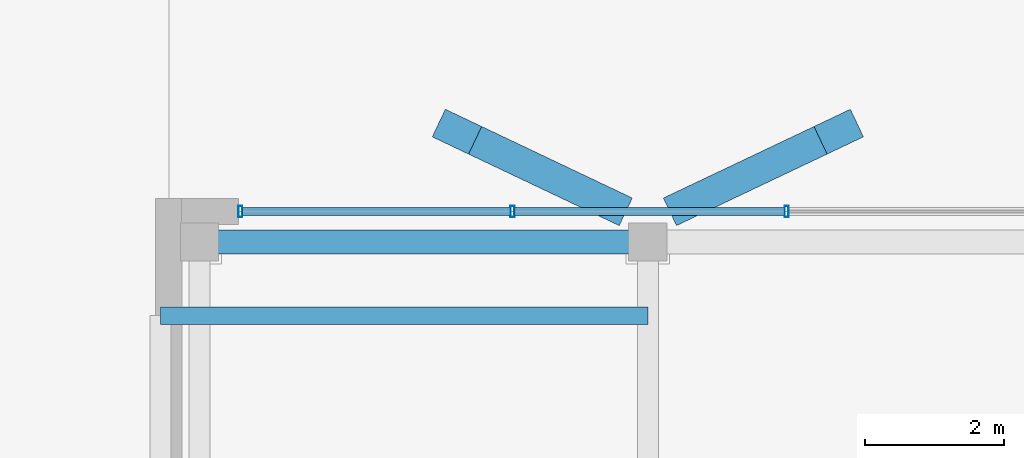
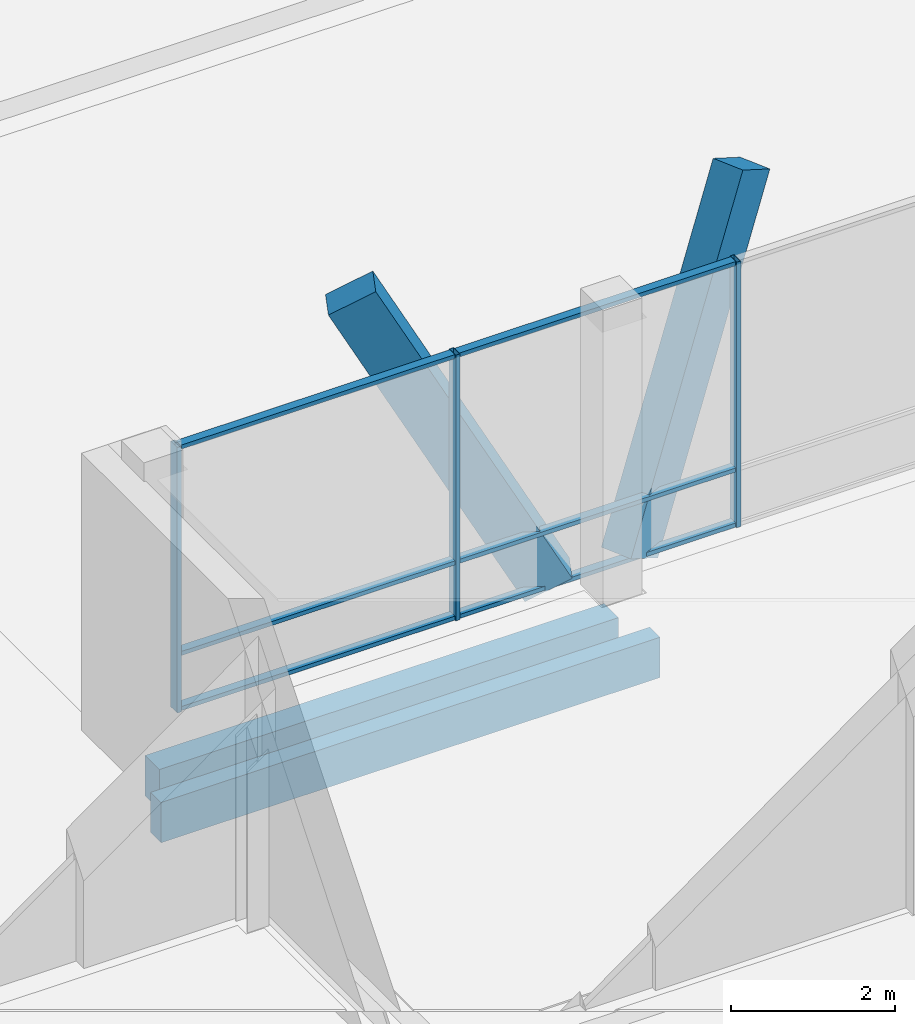
# One storey, part 76 of 233: 11 members, 2 beams, 1 element without a shape of its own.
"""IFC4 building model written with IfcOpenShell, lengths in metres."""

import ifcopenshell
import ifcopenshell.guid

model = None  # the IFC model being written
_history = None  # IfcOwnerHistory: only IFC2X3 demands one
_inside = {}  # id of a spatial element -> (the spatial element, [elements in it])
_under = {}  # id of a project, library or spatial element -> (it, [spatial elements below it])
_declared = {}  # id of a project -> (the project, [libraries it declares])
_typed = {}  # id of a type object -> (the type object, [elements of that type])
_made_of = {}  # id of a material, layer set ... -> (it, [elements and type objects made of it])


def new_model(schema):
    """Start an empty IFC model of exactly this schema.

    Asked for "IFC4X3", IfcOpenShell would pick the latest addendum, in which some entities
    have other attributes; the version numbers below select the first issue.
    IFC2X3 requires an IfcOwnerHistory on every rooted entity: one is made here for all.
    """
    global model, _history
    if schema == "IFC4X3":
        model = ifcopenshell.file(schema_version=(4, 3, 0, 0))
    else:
        model = ifcopenshell.file(schema=schema)
    _inside.clear()
    _under.clear()
    _declared.clear()
    _typed.clear()
    _made_of.clear()
    _history = None
    if model.schema == "IFC2X3":
        org = make("IfcOrganization", Name="unknown")
        user = make(
            "IfcPersonAndOrganization",
            ThePerson=make("IfcPerson", FamilyName="unknown"),
            TheOrganization=org,
        )
        app = make(
            "IfcApplication",
            ApplicationDeveloper=org,
            Version="unknown",
            ApplicationFullName="unknown",
            ApplicationIdentifier="unknown",
        )
        _history = make(
            "IfcOwnerHistory",
            OwningUser=user,
            OwningApplication=app,
            ChangeAction="ADDED",
            CreationDate=0,
        )
    return model


def make(cls, **values):
    """One entity of the class cls with the attributes given. An attribute that is None is left unset."""
    return model.create_entity(
        cls, **{name: value for name, value in values.items() if value is not None}
    )


def rooted(cls, **values):
    """An entity with a GlobalId (a new one), such as an element, a storey or a relation."""
    return make(cls, GlobalId=ifcopenshell.guid.new(), OwnerHistory=_history, **values)


def si_unit(unit_type, name, prefix=None):
    """IfcSIUnit, for example si_unit("LENGTHUNIT", "METRE", prefix="MILLI")."""
    return make("IfcSIUnit", UnitType=unit_type, Prefix=prefix, Name=name)


def assignment(units):
    """IfcUnitAssignment: the units of a project."""
    return None if units is None else make("IfcUnitAssignment", Units=units)


def point(xyz):
    """IfcCartesianPoint."""
    return None if xyz is None else make("IfcCartesianPoint", Coordinates=xyz)


def direction(xyz):
    """IfcDirection."""
    return None if xyz is None else make("IfcDirection", DirectionRatios=xyz)


def frame(location, z_axis=None, x_axis=None):
    """IfcAxis2Placement3D, a coordinate frame: its origin and axes. An axis left out is left unset."""
    return make(
        "IfcAxis2Placement3D",
        Location=point(location),
        Axis=direction(z_axis),
        RefDirection=direction(x_axis),
    )


def frame_2d(location, x_axis=None):
    """IfcAxis2Placement2D, a coordinate frame in the plane: its origin and x axis."""
    return make(
        "IfcAxis2Placement2D", Location=point(location), RefDirection=direction(x_axis)
    )


def origin():
    """The frame at (0, 0, 0) with its axes left unset."""
    return frame((0.0, 0.0, 0.0))


def origin_2d():
    """The frame at (0, 0) in the plane with its x axis left unset."""
    return frame_2d((0.0, 0.0))


def place(relative_to, where):
    """IfcLocalPlacement: puts the frame where relative to a parent placement (None: the world)."""
    return make(
        "IfcLocalPlacement", PlacementRelTo=relative_to, RelativePlacement=where
    )


def context(
    kind, dimensions, precision=None, world=None, true_north=None, identifier=None
):
    """IfcGeometricRepresentationContext, for example the 3D "Model" context."""
    return make(
        "IfcGeometricRepresentationContext",
        ContextIdentifier=identifier,
        ContextType=kind,
        CoordinateSpaceDimension=dimensions,
        Precision=precision,
        WorldCoordinateSystem=world,
        TrueNorth=true_north,
    )


def subcontext(parent, identifier, kind, view, scale=None):
    """IfcGeometricRepresentationSubContext, for example "Body" below "Model"."""
    return make(
        "IfcGeometricRepresentationSubContext",
        ContextIdentifier=identifier,
        ContextType=kind,
        ParentContext=parent,
        TargetScale=scale,
        TargetView=view,
    )


def project(units=None, contexts=None):
    """IfcProject with its units and contexts."""
    return rooted(
        "IfcProject",
        Name="project",
        RepresentationContexts=contexts,
        UnitsInContext=assignment(units),
    )


def spatial(cls, under=None, at=None, **own):
    """A site, building, storey or space (cls), placed at a placement, below another one or the project."""
    s = rooted(cls, ObjectPlacement=at, **own)
    if under is not None:
        _under.setdefault(under.id(), (under, []))[1].append(s)
    return s


def profile(cls, at=None, kind="AREA", **sizes):
    """A parametric profile (cls). Its sizes go by their IFC names, for example OverallWidth=200.0."""
    return make(cls, ProfileType=kind, Position=at, **sizes)


def rectangle(**sizes):
    """IfcRectangleProfileDef."""
    return profile("IfcRectangleProfileDef", **sizes)


def hollow_rectangle(**sizes):
    """IfcRectangleHollowProfileDef."""
    return profile("IfcRectangleHollowProfileDef", **sizes)


def extrude(swept, where, along, depth):
    """IfcExtrudedAreaSolid: the profile swept, set in the frame where, extruded along a direction by depth."""
    return make(
        "IfcExtrudedAreaSolid",
        SweptArea=swept,
        Position=where,
        ExtrudedDirection=direction(along),
        Depth=depth,
    )


def shape(context_of_items, identifier, shape_type, items):
    """IfcShapeRepresentation: the items that make up one representation, for example the "Body"."""
    return make(
        "IfcShapeRepresentation",
        ContextOfItems=context_of_items,
        RepresentationIdentifier=identifier,
        RepresentationType=shape_type,
        Items=items,
    )


def material(Name=None, Category=None):
    """IfcMaterial."""
    return make("IfcMaterial", Name=Name, Category=Category)


def material_profile(
    of_material, cross_section, Name=None, Category=None, Priority=None
):
    """IfcMaterialProfile: a cross section and its material."""
    return make(
        "IfcMaterialProfile",
        Name=Name,
        Material=of_material,
        Profile=cross_section,
        Priority=Priority,
        Category=Category,
    )


def profile_set(profiles, Name=None, composite=None):
    """IfcMaterialProfileSet."""
    return make(
        "IfcMaterialProfileSet",
        Name=Name,
        MaterialProfiles=profiles,
        CompositeProfile=composite,
    )


def made_of(thing, what):
    """Note that an element or type object is made of a material, layer set ...; save() writes the relation."""
    if what is not None:
        _made_of.setdefault(what.id(), (what, []))[1].append(thing)
    return thing


def type_object(cls, material=None, **own):
    """A type object (cls), such as IfcWallType, which elements share."""
    return made_of(rooted(cls, **own), material)


def element(
    cls,
    number,
    at=None,
    inside=None,
    cuts=None,
    type_object=None,
    material=None,
    context=None,
    identifier="Body",
    shape_type=None,
    held_by="IfcProductDefinitionShape",
    body=None,
    shapes=None,
    **own,
):
    """One element of the class cls, such as IfcWall. Its Tag is "e" and its number.

    at: its placement. inside: the storey or other place that contains it. cuts: it is an
    opening in that element (IfcRelVoidsElement). A single representation is given by context,
    identifier, shape_type and body (its items); several are given by shapes. held_by: the class
    of the entity that holds the representations. save() writes the other relations.
    """
    e = rooted(cls, Tag="e%d" % number, ObjectPlacement=at, **own)
    if body is not None:
        shapes = [shape(context, identifier, shape_type, body)]
    if shapes is not None:
        e.Representation = make(held_by, Representations=shapes)
    if inside is not None:
        _inside.setdefault(inside.id(), (inside, []))[1].append(e)
    if cuts is not None:
        rooted(
            "IfcRelVoidsElement", RelatingBuildingElement=cuts, RelatedOpeningElement=e
        )
    if type_object is not None:
        _typed.setdefault(type_object.id(), (type_object, []))[1].append(e)
    return made_of(e, material)


def aggregate(whole, parts):
    """IfcRelAggregates: a whole, such as a stair, and the parts it consists of."""
    return rooted("IfcRelAggregates", RelatingObject=whole, RelatedObjects=parts)


def save(model, path):
    """Write the relations noted so far, then the file.

    IfcRelAggregates (storeys below a building ...), IfcRelContainedInSpatialStructure (elements
    in a storey), IfcRelDefinesByType, IfcRelAssociatesMaterial and IfcRelDeclares: one each for
    every whole, place, type object, material and project.
    """
    for whole, parts in _under.values():
        aggregate(whole, parts)
    for where, things in _inside.values():
        rooted(
            "IfcRelContainedInSpatialStructure",
            RelatedElements=things,
            RelatingStructure=where,
        )
    for kind, things in _typed.values():
        rooted("IfcRelDefinesByType", RelatedObjects=things, RelatingType=kind)
    for what, things in _made_of.values():
        rooted("IfcRelAssociatesMaterial", RelatedObjects=things, RelatingMaterial=what)
    for by, libraries in _declared.values():
        rooted("IfcRelDeclares", RelatingContext=by, RelatedDefinitions=libraries)
    model.write(path)


model = new_model("IFC4")

# Units and contexts
model_context = context("Model", 3, precision=1e-05, world=origin(), true_north=direction((0.0, 1.0)))
body_context = subcontext(model_context, "Body", "Model", "MODEL_VIEW")
ifc_project = project(units=[si_unit("LENGTHUNIT", "METRE"), si_unit("AREAUNIT", "SQUARE_METRE"), si_unit("VOLUMEUNIT", "CUBIC_METRE"), si_unit("PLANEANGLEUNIT", "RADIAN"), si_unit("MASSUNIT", "GRAM", prefix="KILO")], contexts=[model_context])

# Site, building, storey
site_placement = place(None, origin())
site = spatial("IfcSite", under=ifc_project, at=site_placement, CompositionType="ELEMENT")
building_placement = place(site_placement, origin())
building = spatial("IfcBuilding", under=site, at=building_placement, Name="Zavelmont Quarter", CompositionType="ELEMENT")
storey_placement = place(building_placement, origin())
storey = spatial("IfcBuildingStorey", under=building, at=storey_placement, Name="L00", CompositionType="ELEMENT", Elevation=0.0)

# Beams
ifc_material_1 = material(Name="Concrete C35/45", Category="concrete")
ifc_material_profile_1 = material_profile(ifc_material_1, rectangle(XDim=0.35009765625, YDim=0.60009765625, at=origin_2d()), Name="RC350X600")
ifc_profile_set_1 = profile_set([ifc_material_profile_1], Name="Concrete C35/45")
beam_type_1 = type_object("IfcBeamType", Name="BM01", PredefinedType="SPANDREL", material=ifc_profile_set_1)
beam_1_placement = place(storey_placement, frame((113.239990234375, 17.9599609375, -0.6201171875), z_axis=(1.0, 0.0, 0.0), x_axis=(0.0, 1.0, 0.0)))
element("IfcBeam", 1, at=beam_1_placement, inside=storey, type_object=beam_type_1, Name="L00 beam BM01 17/D to 18/D", PredefinedType="SPANDREL", context=body_context, shape_type="SweptSolid", body=[
    extrude(rectangle(XDim=0.35009765625, YDim=0.60009765625, at=origin_2d()), origin(), (0.0, 0.0, 1.0), 6.4599609375),
])
ifc_material_2 = material(Name="Concrete C40/50", Category="concrete")
ifc_material_profile_2 = material_profile(ifc_material_2, rectangle(XDim=0.25, YDim=0.60009765625, at=origin_2d()), Name="RC250X600")
ifc_profile_set_2 = profile_set([ifc_material_profile_2], Name="Concrete C40/50")
beam_type_2 = type_object("IfcBeamType", Name="BM18", PredefinedType="BEAM", material=ifc_profile_set_2)
beam_2_placement = place(storey_placement, frame((119.699951171875, 16.89990234375, -0.300048828125), z_axis=(-1.0, 0.0, 0.0), x_axis=(0.0, -1.0, 0.0)))
element("IfcBeam", 2, at=beam_2_placement, inside=storey, type_object=beam_type_2, Name="L00 beam BM18 18/D to 17/D", PredefinedType="BEAM", context=body_context, shape_type="SweptSolid", body=[
    extrude(rectangle(XDim=0.25, YDim=0.60009765625, at=origin_2d()), origin(), (0.0, 0.0, 1.0), 7.02001953125),
])

# Curtain wall, members
ifc_material_3 = material(Name="Thermally broken aluminium and double low-E safety glazing", Category="aluminium")
curtain_wall_type = type_object("IfcCurtainWallType", Name="CW-1185X395", PredefinedType="NOTDEFINED", material=ifc_material_3)
curtain_wall_placement = place(storey_placement, origin())
curtain_wall = element("IfcCurtainWall", 3, at=curtain_wall_placement, inside=storey, type_object=curtain_wall_type, Name="L00 unitised curtain wall CW-1185X395", PredefinedType="NOTDEFINED")
ifc_material_4 = material(Name="Powder-coated aluminium EN AW-6063-T6", Category="aluminium")
ifc_material_profile_3 = material_profile(ifc_material_4, hollow_rectangle(XDim=0.06005859375, YDim=0.159912109375, WallThickness=0.00390625, at=origin_2d()), Name="CWM60X160")
ifc_profile_set_3 = profile_set([ifc_material_profile_3], Name="Powder-coated aluminium EN AW-6063-T6")
member_type_1 = type_object("IfcMemberType", Name="CWM01", PredefinedType="MULLION", material=ifc_profile_set_3)
member_1_placement = place(storey_placement, frame((113.830078125, 18.39990234375, 0.0), z_axis=(0.0, 0.0, 1.0), x_axis=(1.0, 0.0, 0.0)))
member_1 = element("IfcMember", 4, at=member_1_placement, type_object=member_type_1, Name="CW-1185X395 mullion 1", PredefinedType="MULLION", context=body_context, shape_type="SweptSolid", body=[
    extrude(hollow_rectangle(XDim=0.06005859375, YDim=0.159912109375, WallThickness=0.00390625, at=origin_2d()), origin(), (0.0, 0.0, 1.0), 3.949951171875),
])
member_2_placement = place(storey_placement, frame((117.75, 18.39990234375, 0.0), z_axis=(0.0, 0.0, 1.0), x_axis=(1.0, 0.0, 0.0)))
member_2 = element("IfcMember", 5, at=member_2_placement, type_object=member_type_1, Name="CW-1185X395 mullion 2", PredefinedType="MULLION", context=body_context, shape_type="SweptSolid", body=[
    extrude(hollow_rectangle(XDim=0.06005859375, YDim=0.159912109375, WallThickness=0.00390625, at=origin_2d()), origin(), (0.0, 0.0, 1.0), 3.949951171875),
])
member_3_placement = place(storey_placement, frame((121.699951171875, 18.39990234375, 0.0), z_axis=(0.0, 0.0, 1.0), x_axis=(1.0, 0.0, 0.0)))
member_3 = element("IfcMember", 6, at=member_3_placement, type_object=member_type_1, Name="CW-1185X395 mullion 3", PredefinedType="MULLION", context=body_context, shape_type="SweptSolid", body=[
    extrude(hollow_rectangle(XDim=0.06005859375, YDim=0.159912109375, WallThickness=0.00390625, at=origin_2d()), origin(), (0.0, 0.0, 1.0), 3.949951171875),
])
ifc_material_profile_4 = material_profile(ifc_material_4, hollow_rectangle(XDim=0.1201171875, YDim=0.06005859375, WallThickness=0.00390625, at=origin_2d()), Name="CWT60X120")
ifc_profile_set_4 = profile_set([ifc_material_profile_4], Name="Powder-coated aluminium EN AW-6063-T6")
member_type_2 = type_object("IfcMemberType", Name="CWT01", PredefinedType="NOTDEFINED", material=ifc_profile_set_4)
member_4_placement = place(storey_placement, frame((113.860107421875, 18.39990234375, 0.030029296875), z_axis=(1.0, 0.0, 0.0), x_axis=(0.0, 1.0, 0.0)))
member_4 = element("IfcMember", 7, at=member_4_placement, type_object=member_type_2, Name="CW-1185X395 transom 1.1", ObjectType="TRANSOM", PredefinedType="USERDEFINED", context=body_context, shape_type="SweptSolid", body=[
    extrude(hollow_rectangle(XDim=0.1201171875, YDim=0.06005859375, WallThickness=0.00390625, at=origin_2d()), origin(), (0.0, 0.0, 1.0), 3.85986328125),
])
member_5_placement = place(storey_placement, frame((113.860107421875, 18.39990234375, 0.85009765625), z_axis=(1.0, 0.0, 0.0), x_axis=(0.0, 1.0, 0.0)))
member_5 = element("IfcMember", 8, at=member_5_placement, type_object=member_type_2, Name="CW-1185X395 transom 1.2", ObjectType="TRANSOM", PredefinedType="USERDEFINED", context=body_context, shape_type="SweptSolid", body=[
    extrude(hollow_rectangle(XDim=0.1201171875, YDim=0.06005859375, WallThickness=0.00390625, at=origin_2d()), origin(), (0.0, 0.0, 1.0), 3.85986328125),
])
member_6_placement = place(storey_placement, frame((113.860107421875, 18.39990234375, 3.919921875), z_axis=(1.0, 0.0, 0.0), x_axis=(0.0, 1.0, 0.0)))
member_6 = element("IfcMember", 9, at=member_6_placement, type_object=member_type_2, Name="CW-1185X395 transom 1.3", ObjectType="TRANSOM", PredefinedType="USERDEFINED", context=body_context, shape_type="SweptSolid", body=[
    extrude(hollow_rectangle(XDim=0.1201171875, YDim=0.06005859375, WallThickness=0.00390625, at=origin_2d()), origin(), (0.0, 0.0, 1.0), 3.85986328125),
])
member_7_placement = place(storey_placement, frame((117.780029296875, 18.39990234375, 0.030029296875), z_axis=(1.0, 0.0, 0.0), x_axis=(0.0, 1.0, 0.0)))
member_7 = element("IfcMember", 10, at=member_7_placement, type_object=member_type_2, Name="CW-1185X395 transom 2.1", ObjectType="TRANSOM", PredefinedType="USERDEFINED", context=body_context, shape_type="SweptSolid", body=[
    extrude(hollow_rectangle(XDim=0.1201171875, YDim=0.06005859375, WallThickness=0.00390625, at=origin_2d()), origin(), (0.0, 0.0, 1.0), 3.889892578125),
])
member_8_placement = place(storey_placement, frame((117.780029296875, 18.39990234375, 0.85009765625), z_axis=(1.0, 0.0, 0.0), x_axis=(0.0, 1.0, 0.0)))
member_8 = element("IfcMember", 11, at=member_8_placement, type_object=member_type_2, Name="CW-1185X395 transom 2.2", ObjectType="TRANSOM", PredefinedType="USERDEFINED", context=body_context, shape_type="SweptSolid", body=[
    extrude(hollow_rectangle(XDim=0.1201171875, YDim=0.06005859375, WallThickness=0.00390625, at=origin_2d()), origin(), (0.0, 0.0, 1.0), 3.889892578125),
])
member_9_placement = place(storey_placement, frame((117.780029296875, 18.39990234375, 3.919921875), z_axis=(1.0, 0.0, 0.0), x_axis=(0.0, 1.0, 0.0)))
member_9 = element("IfcMember", 12, at=member_9_placement, type_object=member_type_2, Name="CW-1185X395 transom 2.3", ObjectType="TRANSOM", PredefinedType="USERDEFINED", context=body_context, shape_type="SweptSolid", body=[
    extrude(hollow_rectangle(XDim=0.1201171875, YDim=0.06005859375, WallThickness=0.00390625, at=origin_2d()), origin(), (0.0, 0.0, 1.0), 3.889892578125),
])
aggregate(curtain_wall, [member_1, member_2, member_3, member_4, member_5, member_6, member_7, member_8, member_9])

# Members
ifc_material_5 = material(Name="White architectural precast concrete C40/50", Category="concrete")
ifc_material_profile_5 = material_profile(ifc_material_5, rectangle(XDim=0.43994140625, YDim=0.659912109375, at=origin_2d()), Name="PCR320X480")
ifc_profile_set_5 = profile_set([ifc_material_profile_5], Name="White architectural precast concrete C40/50")
member_type_3 = type_object("IfcMemberType", Name="VR01M", PredefinedType="CHORD", material=ifc_profile_set_5)
for number, where, z_axis, x_axis, name in (
    (13, (119.1201171875, 18.52001953125, 0.0), (-0.432871921724, 0.205477794527, 0.877724771975), (-0.428824595918, -0.903387771633, 0.0), "L00 member VR01M 18/D to 18/D"),
    (14, (120.280029296875, 18.52001953125, 0.0), (0.432871921724, 0.205477794527, 0.877724771975), (-0.428824595918, 0.903387771633, 0.0), "L00 member VR01M 18/D to 18/D"),
):
    element("IfcMember", number, at=place(storey_placement, frame(where, z_axis=z_axis, x_axis=x_axis)), inside=storey, type_object=member_type_3, Name=name, PredefinedType="CHORD", context=body_context, shape_type="SweptSolid", body=[
        extrude(rectangle(XDim=0.43994140625, YDim=0.659912109375, at=origin_2d()), origin(), (0.0, 0.0, 1.0), 5.012939453125),
    ])

save(model, "model.ifc")
